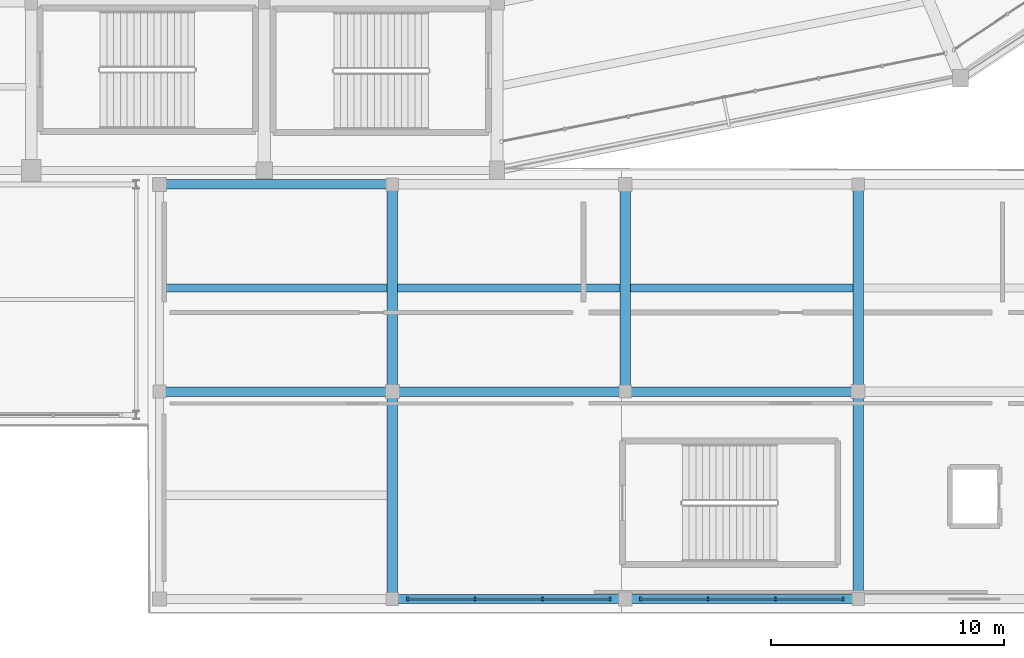
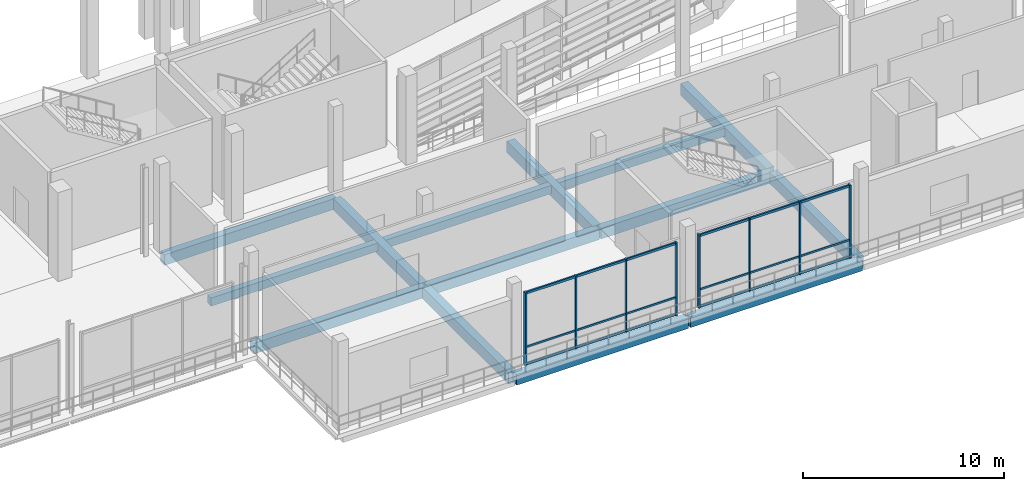
# One storey, part 31 of 111: 14 beams, 14 members, 2 elements without a shape of their own.
"""IFC4 building model written with IfcOpenShell, lengths in metres."""

from ifc_helpers import new_model, si_unit, direction, frame, origin, origin_2d, place, context, subcontext, project, spatial, rectangle, extrude, material, material_profile, profile_set, type_object, element, aggregate, save


model = new_model("IFC4")

# Units and contexts
model_context = context("Model", 3, precision=1e-05, world=origin(), true_north=direction((0.0, 1.0)))
body_context = subcontext(model_context, "Body", "Model", "MODEL_VIEW")
ifc_project = project(units=[si_unit("LENGTHUNIT", "METRE"), si_unit("AREAUNIT", "SQUARE_METRE"), si_unit("VOLUMEUNIT", "CUBIC_METRE"), si_unit("PLANEANGLEUNIT", "RADIAN"), si_unit("MASSUNIT", "GRAM", prefix="KILO")], contexts=[model_context])

# Site, building, storey
site_placement = place(None, origin())
site = spatial("IfcSite", under=ifc_project, at=site_placement, CompositionType="ELEMENT")
building_placement = place(site_placement, origin())
building = spatial("IfcBuilding", under=site, at=building_placement, Name="Candeia Ridge Stadium", CompositionType="ELEMENT")
storey_placement = place(building_placement, frame((0.0, 0.0, 16.199951171875)))
storey = spatial("IfcBuildingStorey", under=building, at=storey_placement, Name="L03", CompositionType="ELEMENT", Elevation=16.199951171875)

# Curtain wall, members
ifc_material_1 = material(Name="Aluminium Anodized Warm Bronze", Category="aluminium")
curtain_wall_type = type_object("IfcCurtainWallType", Name="Museum & Boulevard Showcase Curtain Wall", PredefinedType="NOTDEFINED", material=ifc_material_1)
curtain_wall_1_placement = place(storey_placement, origin())
curtain_wall_1 = element("IfcCurtainWall", 1, at=curtain_wall_1_placement, inside=storey, type_object=curtain_wall_type, Name="Unitised curtain wall CW-WNG-L03-134", PredefinedType="NOTDEFINED")
ifc_material_profile_1 = material_profile(ifc_material_1, rectangle(XDim=0.090087890625, YDim=0.179931640625, at=origin_2d()), Name="CWM-90x180", Category="aluminium")
ifc_profile_set_1 = profile_set([ifc_material_profile_1], Name="Aluminium Anodized Warm Bronze")
member_type_1 = type_object("IfcMemberType", Name="Curtain Wall Primary Mullion 90x180", PredefinedType="MULLION", material=ifc_profile_set_1)
member_1_placement = place(storey_placement, frame((137.159912109375, 0.60009765625, 0.0), z_axis=(0.0, 0.0, 1.0), x_axis=(1.0, 0.0, 0.0)))
member_1 = element("IfcMember", 2, at=member_1_placement, type_object=member_type_1, Name="Curtain wall mullion CW-WNG-L03-134-M0", PredefinedType="MULLION", context=body_context, shape_type="SweptSolid", body=[
    extrude(rectangle(XDim=0.090087890625, YDim=0.179931640625, at=origin_2d()), origin(), (0.0, 0.0, 1.0), 4.455078125),
])
member_2_placement = place(storey_placement, frame((145.840087890625, 0.60009765625, 0.0), z_axis=(0.0, 0.0, 1.0), x_axis=(1.0, 0.0, 0.0)))
member_2 = element("IfcMember", 3, at=member_2_placement, type_object=member_type_1, Name="Curtain wall mullion CW-WNG-L03-134-M3", PredefinedType="MULLION", context=body_context, shape_type="SweptSolid", body=[
    extrude(rectangle(XDim=0.090087890625, YDim=0.179931640625, at=origin_2d()), origin(), (0.0, 0.0, 1.0), 4.455078125),
])

curtain_wall_2_placement = place(storey_placement, origin())
curtain_wall_2 = element("IfcCurtainWall", 4, at=curtain_wall_2_placement, inside=storey, type_object=curtain_wall_type, Name="Unitised curtain wall CW-WNG-L03-135", PredefinedType="NOTDEFINED")
member_3_placement = place(storey_placement, frame((147.159912109375, 0.60009765625, 0.0), z_axis=(0.0, 0.0, 1.0), x_axis=(1.0, 0.0, 0.0)))
member_3 = element("IfcMember", 5, at=member_3_placement, type_object=member_type_1, Name="Curtain wall mullion CW-WNG-L03-135-M0", PredefinedType="MULLION", context=body_context, shape_type="SweptSolid", body=[
    extrude(rectangle(XDim=0.090087890625, YDim=0.179931640625, at=origin_2d()), origin(), (0.0, 0.0, 1.0), 4.455078125),
])
member_4_placement = place(storey_placement, frame((155.840087890625, 0.60009765625, 0.0), z_axis=(0.0, 0.0, 1.0), x_axis=(1.0, 0.0, 0.0)))
member_4 = element("IfcMember", 6, at=member_4_placement, type_object=member_type_1, Name="Curtain wall mullion CW-WNG-L03-135-M3", PredefinedType="MULLION", context=body_context, shape_type="SweptSolid", body=[
    extrude(rectangle(XDim=0.090087890625, YDim=0.179931640625, at=origin_2d()), origin(), (0.0, 0.0, 1.0), 4.455078125),
])

# Member
ifc_material_profile_2 = material_profile(ifc_material_1, rectangle(XDim=0.074951171875, YDim=0.14990234375, at=origin_2d()), Name="CWM-75x150", Category="aluminium")
ifc_profile_set_2 = profile_set([ifc_material_profile_2], Name="Aluminium Anodized Warm Bronze")
member_type_2 = type_object("IfcMemberType", Name="Curtain Wall Secondary Mullion 75x150", PredefinedType="MULLION", material=ifc_profile_set_2)
member_5_placement = place(storey_placement, frame((140.05322265625, 0.60009765625, 0.0), z_axis=(0.0, 0.0, 1.0), x_axis=(1.0, 0.0, 0.0)))
member_5 = element("IfcMember", 7, at=member_5_placement, type_object=member_type_2, Name="Curtain wall mullion CW-WNG-L03-134-M1", PredefinedType="MULLION", context=body_context, shape_type="SweptSolid", body=[
    extrude(rectangle(XDim=0.074951171875, YDim=0.14990234375, at=origin_2d()), origin(), (0.0, 0.0, 1.0), 4.455078125),
])

member_6_placement = place(storey_placement, frame((142.94677734375, 0.60009765625, 0.0), z_axis=(0.0, 0.0, 1.0), x_axis=(1.0, 0.0, 0.0)))
member_6 = element("IfcMember", 8, at=member_6_placement, type_object=member_type_2, Name="Curtain wall mullion CW-WNG-L03-134-M2", PredefinedType="MULLION", context=body_context, shape_type="SweptSolid", body=[
    extrude(rectangle(XDim=0.074951171875, YDim=0.14990234375, at=origin_2d()), origin(), (0.0, 0.0, 1.0), 4.455078125),
])

member_7_placement = place(storey_placement, frame((150.05322265625, 0.60009765625, 0.0), z_axis=(0.0, 0.0, 1.0), x_axis=(1.0, 0.0, 0.0)))
member_7 = element("IfcMember", 9, at=member_7_placement, type_object=member_type_2, Name="Curtain wall mullion CW-WNG-L03-135-M1", PredefinedType="MULLION", context=body_context, shape_type="SweptSolid", body=[
    extrude(rectangle(XDim=0.074951171875, YDim=0.14990234375, at=origin_2d()), origin(), (0.0, 0.0, 1.0), 4.455078125),
])

member_8_placement = place(storey_placement, frame((152.94677734375, 0.60009765625, 0.0), z_axis=(0.0, 0.0, 1.0), x_axis=(1.0, 0.0, 0.0)))
member_8 = element("IfcMember", 10, at=member_8_placement, type_object=member_type_2, Name="Curtain wall mullion CW-WNG-L03-135-M2", PredefinedType="MULLION", context=body_context, shape_type="SweptSolid", body=[
    extrude(rectangle(XDim=0.074951171875, YDim=0.14990234375, at=origin_2d()), origin(), (0.0, 0.0, 1.0), 4.455078125),
])

ifc_material_profile_3 = material_profile(ifc_material_1, rectangle(XDim=0.074951171875, YDim=0.110107421875, at=origin_2d()), Name="CWT-75x110", Category="aluminium")
ifc_profile_set_3 = profile_set([ifc_material_profile_3], Name="Aluminium Anodized Warm Bronze")
member_type_3 = type_object("IfcMemberType", Name="Curtain Wall Secondary Transom 75x110", PredefinedType="USERDEFINED", material=ifc_profile_set_3)
member_9_placement = place(storey_placement, frame((137.159912109375, 0.60009765625, 1.10009765625), z_axis=(1.0, 0.0, 0.0), x_axis=(0.0, 1.0, 0.0)))
member_9 = element("IfcMember", 11, at=member_9_placement, type_object=member_type_3, Name="Curtain wall transom CW-WNG-L03-134-T1", ObjectType="TRANSOM", PredefinedType="USERDEFINED", context=body_context, shape_type="SweptSolid", body=[
    extrude(rectangle(XDim=0.074951171875, YDim=0.110107421875, at=origin_2d()), origin(), (0.0, 0.0, 1.0), 8.68017578125),
])

member_10_placement = place(storey_placement, frame((147.159912109375, 0.60009765625, 1.10009765625), z_axis=(1.0, 0.0, 0.0), x_axis=(0.0, 1.0, 0.0)))
member_10 = element("IfcMember", 12, at=member_10_placement, type_object=member_type_3, Name="Curtain wall transom CW-WNG-L03-135-T1", ObjectType="TRANSOM", PredefinedType="USERDEFINED", context=body_context, shape_type="SweptSolid", body=[
    extrude(rectangle(XDim=0.074951171875, YDim=0.110107421875, at=origin_2d()), origin(), (0.0, 0.0, 1.0), 8.68017578125),
])

ifc_material_profile_4 = material_profile(ifc_material_1, rectangle(XDim=0.090087890625, YDim=0.139892578125, at=origin_2d()), Name="CWT-90x140", Category="aluminium")
ifc_profile_set_4 = profile_set([ifc_material_profile_4], Name="Aluminium Anodized Warm Bronze")
member_type_4 = type_object("IfcMemberType", Name="Curtain Wall Transom 90x140", PredefinedType="USERDEFINED", material=ifc_profile_set_4)
member_11_placement = place(storey_placement, frame((137.159912109375, 0.60009765625, 0.070068359375), z_axis=(1.0, 0.0, 0.0), x_axis=(0.0, 1.0, 0.0)))
member_11 = element("IfcMember", 13, at=member_11_placement, type_object=member_type_4, Name="Curtain wall transom CW-WNG-L03-134-T0", ObjectType="TRANSOM", PredefinedType="USERDEFINED", context=body_context, shape_type="SweptSolid", body=[
    extrude(rectangle(XDim=0.090087890625, YDim=0.139892578125, at=origin_2d()), origin(), (0.0, 0.0, 1.0), 8.68017578125),
])

member_12_placement = place(storey_placement, frame((137.159912109375, 0.60009765625, 4.385009765625), z_axis=(1.0, 0.0, 0.0), x_axis=(0.0, 1.0, 0.0)))
member_12 = element("IfcMember", 14, at=member_12_placement, type_object=member_type_4, Name="Curtain wall transom CW-WNG-L03-134-T2", ObjectType="TRANSOM", PredefinedType="USERDEFINED", context=body_context, shape_type="SweptSolid", body=[
    extrude(rectangle(XDim=0.090087890625, YDim=0.139892578125, at=origin_2d()), origin(), (0.0, 0.0, 1.0), 8.68017578125),
])

aggregate(curtain_wall_1, [member_1, member_5, member_6, member_2, member_11, member_9, member_12])

member_13_placement = place(storey_placement, frame((147.159912109375, 0.60009765625, 0.070068359375), z_axis=(1.0, 0.0, 0.0), x_axis=(0.0, 1.0, 0.0)))
member_13 = element("IfcMember", 15, at=member_13_placement, type_object=member_type_4, Name="Curtain wall transom CW-WNG-L03-135-T0", ObjectType="TRANSOM", PredefinedType="USERDEFINED", context=body_context, shape_type="SweptSolid", body=[
    extrude(rectangle(XDim=0.090087890625, YDim=0.139892578125, at=origin_2d()), origin(), (0.0, 0.0, 1.0), 8.68017578125),
])

member_14_placement = place(storey_placement, frame((147.159912109375, 0.60009765625, 4.385009765625), z_axis=(1.0, 0.0, 0.0), x_axis=(0.0, 1.0, 0.0)))
member_14 = element("IfcMember", 16, at=member_14_placement, type_object=member_type_4, Name="Curtain wall transom CW-WNG-L03-135-T2", ObjectType="TRANSOM", PredefinedType="USERDEFINED", context=body_context, shape_type="SweptSolid", body=[
    extrude(rectangle(XDim=0.090087890625, YDim=0.139892578125, at=origin_2d()), origin(), (0.0, 0.0, 1.0), 8.68017578125),
])

aggregate(curtain_wall_2, [member_3, member_7, member_8, member_4, member_13, member_10, member_14])

# Beams
ifc_material_2 = material(Name="Concrete C40/50", Category="concrete")
ifc_material_profile_5 = material_profile(ifc_material_2, rectangle(XDim=0.35009765625, YDim=0.5, at=origin_2d()), Name="RC350x500", Category="concrete")
ifc_profile_set_5 = profile_set([ifc_material_profile_5], Name="Concrete C40/50")
beam_type_1 = type_object("IfcBeamType", Name="Floor Joist RC350x500", PredefinedType="JOIST", material=ifc_profile_set_5)
beam_placement = place(storey_placement, frame((126.674560546875, 13.949951171875, -0.5), z_axis=(1.0, 0.0, 0.0), x_axis=(0.0, 1.0, 0.0)))
element("IfcBeam", 17, at=beam_placement, inside=storey, type_object=beam_type_1, Name="Wing secondary joist BM-L03-2334", PredefinedType="JOIST", context=body_context, shape_type="SweptSolid", body=[
    extrude(rectangle(XDim=0.35009765625, YDim=0.5, at=origin_2d()), origin(), (0.0, 0.0, 1.0), 9.600830078125),
])
for number, where, z_axis, x_axis, name in (
    (18, (136.724609375, 13.949951171875, -0.5), (1.0, 0.0, 0.0), (0.0, 1.0, 0.0), "Wing secondary joist BM-L03-2338"),
    (19, (146.724609375, 13.949951171875, -0.5), (1.0, 0.0, 0.0), (0.0, 1.0, 0.0), "Wing secondary joist BM-L03-2342"),
):
    element("IfcBeam", number, at=place(storey_placement, frame(where, z_axis=z_axis, x_axis=x_axis)), inside=storey, type_object=beam_type_1, Name=name, PredefinedType="JOIST", context=body_context, shape_type="SweptSolid", body=[
        extrude(rectangle(XDim=0.35009765625, YDim=0.5, at=origin_2d()), origin(), (0.0, 0.0, 1.0), 9.55078125),
    ])
ifc_material_profile_6 = material_profile(ifc_material_2, rectangle(XDim=0.449951171875, YDim=0.699951171875, at=origin_2d()), Name="RC450x700", Category="concrete")
ifc_profile_set_6 = profile_set([ifc_material_profile_6], Name="Concrete C40/50")
beam_type_2 = type_object("IfcBeamType", Name="Frame Girder RC450x700", PredefinedType="BEAM", material=ifc_profile_set_6)
for number, where, z_axis, x_axis, name in (
    (20, (136.5, 0.760009765625, -0.599853515625), (0.0, 1.0, 0.0), (-1.0, 0.0, 0.0), "Structural girder BM-L03-2320"),
    (21, (136.5, 9.659912109375, -0.599853515625), (0.0, 1.0, 0.0), (-1.0, 0.0, 0.0), "Structural girder BM-L03-2321"),
    (22, (146.5, 9.659912109375, -0.599853515625), (0.0, 1.0, 0.0), (-1.0, 0.0, 0.0), "Structural girder BM-L03-2322"),
    (23, (156.5, 0.760009765625, -0.599853515625), (0.0, 1.0, 0.0), (-1.0, 0.0, 0.0), "Structural girder BM-L03-2323"),
    (24, (156.5, 9.659912109375, -0.599853515625), (0.0, 1.0, 0.0), (-1.0, 0.0, 0.0), "Structural girder BM-L03-2324"),
):
    element("IfcBeam", number, at=place(storey_placement, frame(where, z_axis=z_axis, x_axis=x_axis)), inside=storey, type_object=beam_type_2, Name=name, PredefinedType="BEAM", context=body_context, shape_type="SweptSolid", body=[
        extrude(rectangle(XDim=0.449951171875, YDim=0.699951171875, at=origin_2d()), origin(), (0.0, 0.0, 1.0), 8.580078125),
    ])
ifc_material_profile_7 = material_profile(ifc_material_2, rectangle(XDim=0.39990234375, YDim=0.64990234375, at=origin_2d()), Name="RC400x650", Category="concrete")
ifc_profile_set_7 = profile_set([ifc_material_profile_7], Name="Concrete C40/50")
beam_type_3 = type_object("IfcBeamType", Name="Wing Primary Girder RC400x650", PredefinedType="BEAM", material=ifc_profile_set_7)
for number, where, z_axis, x_axis, name in (
    (25, (126.550048828125, 9.5, -0.574951171875), (1.0, 0.0, 0.0), (0.0, 1.0, 0.0), "Structural girder BM-L03-2333"),
    (26, (126.550048828125, 18.39990234375, -0.574951171875), (1.0, 0.0, 0.0), (0.0, 1.0, 0.0), "Structural girder BM-L03-2335"),
    (27, (136.550048828125, 0.60009765625, -0.574951171875), (1.0, 0.0, 0.0), (0.0, 1.0, 0.0), "Structural girder BM-L03-2336"),
    (28, (136.550048828125, 9.5, -0.574951171875), (1.0, 0.0, 0.0), (0.0, 1.0, 0.0), "Structural girder BM-L03-2337"),
    (29, (146.550048828125, 0.60009765625, -0.574951171875), (1.0, 0.0, 0.0), (0.0, 1.0, 0.0), "Structural girder BM-L03-2340"),
    (30, (146.550048828125, 9.5, -0.574951171875), (1.0, 0.0, 0.0), (0.0, 1.0, 0.0), "Structural girder BM-L03-2341"),
):
    element("IfcBeam", number, at=place(storey_placement, frame(where, z_axis=z_axis, x_axis=x_axis)), inside=storey, type_object=beam_type_3, Name=name, PredefinedType="BEAM", context=body_context, shape_type="SweptSolid", body=[
        extrude(rectangle(XDim=0.39990234375, YDim=0.64990234375, at=origin_2d()), origin(), (0.0, 0.0, 1.0), 9.89990234375),
    ])

save(model, "model.ifc")
